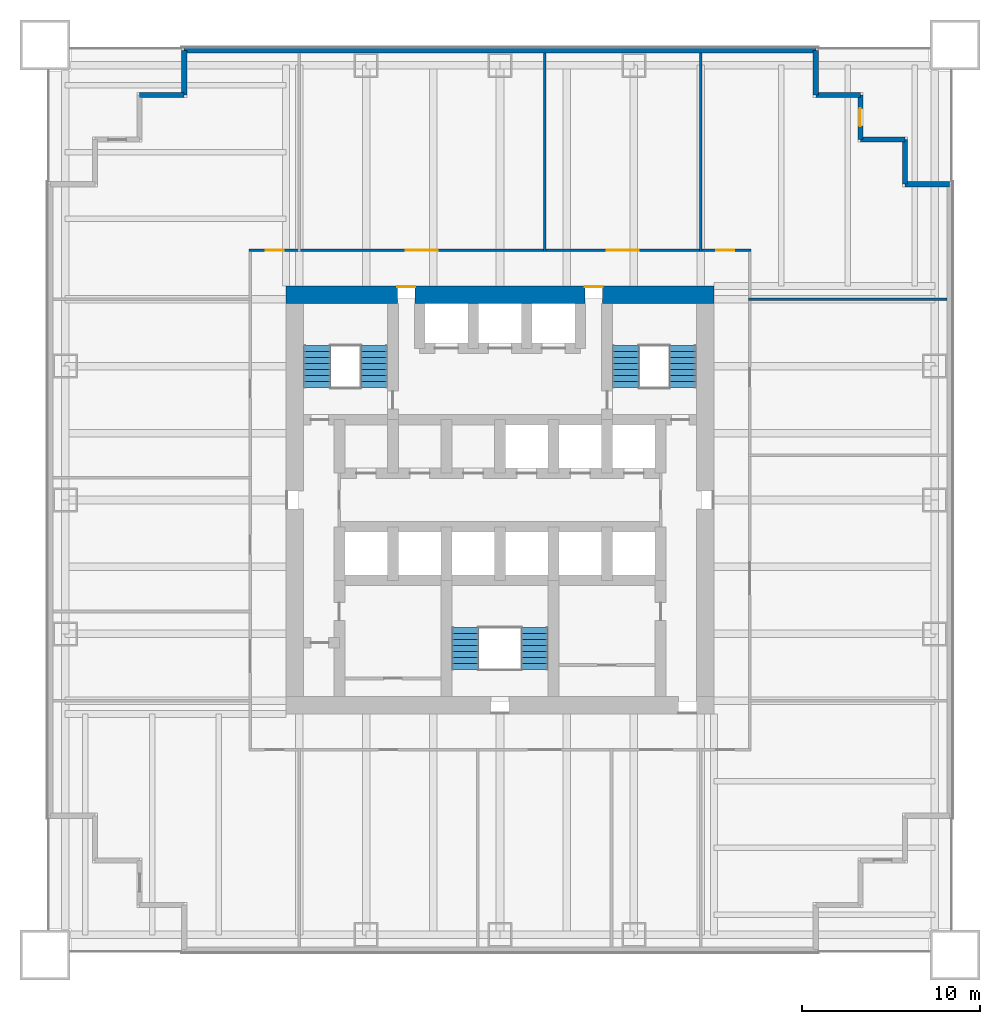
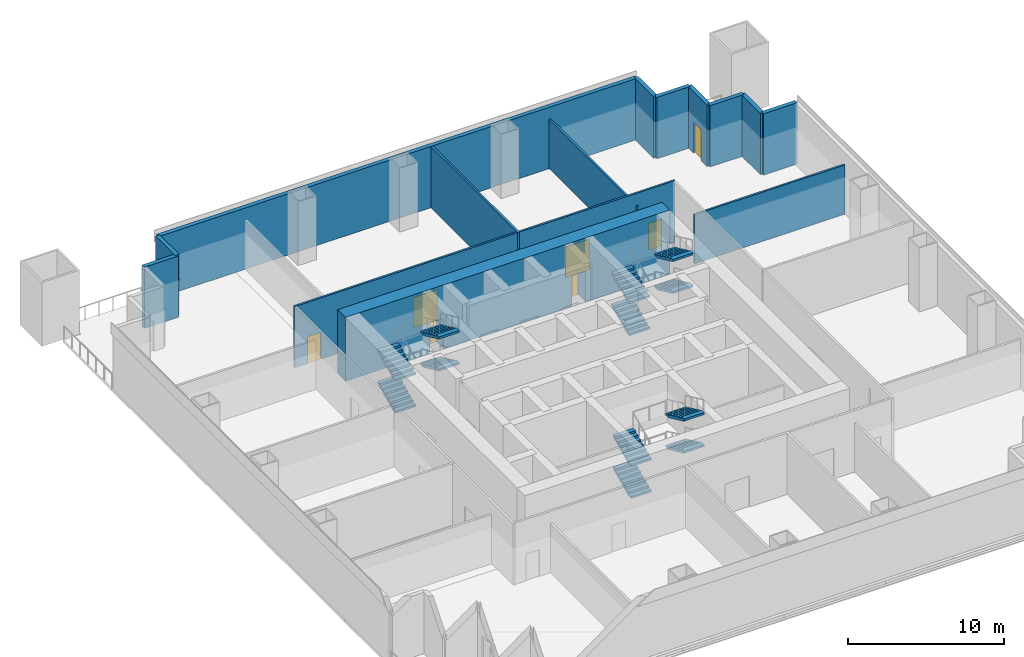
# One storey, part 4 of 6: 14 walls, 12 stair flights, 7 doors, 7 openings, 3 elements without a shape of their own.
"""IFC4 building model written with IfcOpenShell, lengths in metres."""

from ifc_helpers import new_model, si_unit, direction, frame, frame_2d, origin, place, context, subcontext, project, spatial, polyline, rectangle, outline, extrude, material, layer, layer_set, type_object, element, fill, aggregate, save


model = new_model("IFC4")

# Units and contexts
model_context = context("Model", 3, precision=1e-05, world=origin(), true_north=direction((0.0, 1.0)))
body_context = subcontext(model_context, "Body", "Model", "MODEL_VIEW")
ifc_project = project(units=[si_unit("LENGTHUNIT", "METRE"), si_unit("AREAUNIT", "SQUARE_METRE"), si_unit("VOLUMEUNIT", "CUBIC_METRE"), si_unit("PLANEANGLEUNIT", "RADIAN"), si_unit("MASSUNIT", "GRAM", prefix="KILO")], contexts=[model_context])

# Site, building, storey
site_placement = place(None, origin())
site = spatial("IfcSite", under=ifc_project, at=site_placement, CompositionType="ELEMENT")
building_placement = place(site_placement, origin())
building = spatial("IfcBuilding", under=site, at=building_placement, Name="Tarangal Relay Tower", CompositionType="ELEMENT")
storey_placement = place(building_placement, frame((0.0, 0.0, 33.39990234375)))
storey = spatial("IfcBuildingStorey", under=building, at=storey_placement, Name="L06", CompositionType="ELEMENT", Elevation=33.39990234375)

# Wall, openings, doors
ifc_material_1 = material(Name="Concrete fc' 60 MPa", Category="concrete")
ifc_layer_1 = layer(ifc_material_1, 1.0)
ifc_layer_set_1 = layer_set([ifc_layer_1], Name="Core wall 1000")
wall_type_1 = type_object("IfcWallType", Name="Core wall 1000", PredefinedType="SHEAR", material=ifc_layer_set_1)
wall_1_placement = place(storey_placement, frame((-12.0, 11.5, 0.0), z_axis=(0.0, 0.0, 1.0), x_axis=(1.0, 0.0, 0.0)))
wall_1 = element("IfcWall", 1, at=wall_1_placement, inside=storey, type_object=wall_type_1, Name="Core wall N L06", PredefinedType="SHEAR", context=body_context, shape_type="SweptSolid", body=[
    extrude(rectangle(XDim=24.0, YDim=1.0, at=frame_2d((12.0, 0.0))), origin(), (0.0, 0.0, 1.0), 5.0),
])
opening_1_placement = place(wall_1_placement, frame((6.25, 0.0, 0.0)))
opening_1 = element("IfcOpeningElement", 2, at=opening_1_placement, cuts=wall_1, Name="Opening FD3", PredefinedType="OPENING", context=body_context, shape_type="SweptSolid", body=[
    extrude(rectangle(XDim=1.0, YDim=2.39990234375, at=frame_2d((0.5, 1.199951171875))), frame((0.0, 0.510009765625, 0.0), z_axis=(0.0, -1.0, 0.0), x_axis=(1.0, 0.0, 0.0)), (0.0, 0.0, 1.0), 1.02001953125),
])
opening_2_placement = place(wall_1_placement, frame((16.75, 0.0, 0.0)))
opening_2 = element("IfcOpeningElement", 3, at=opening_2_placement, cuts=wall_1, Name="Opening FD3", PredefinedType="OPENING", context=body_context, shape_type="SweptSolid", body=[
    extrude(rectangle(XDim=1.0, YDim=2.39990234375, at=frame_2d((0.5, 1.199951171875))), frame((0.0, 0.510009765625, 0.0), z_axis=(0.0, -1.0, 0.0), x_axis=(1.0, 0.0, 0.0)), (0.0, 0.0, 1.0), 1.02001953125),
])
ifc_material_2 = material(Name="Steel door with hardwood frame", Category="steel")
door_type_1 = type_object("IfcDoorType", Name="Fire door 1000 x 2400 core entry", OperationType="SINGLE_SWING_RIGHT", PredefinedType="DOOR", material=ifc_material_2)
door_1_placement = place(opening_1_placement, origin())
door_1 = element("IfcDoor", 4, at=door_1_placement, inside=storey, type_object=door_type_1, Name="Core entry door north west L06", OperationType="SINGLE_SWING_RIGHT", OverallHeight=2.39990234375, OverallWidth=1.0, PredefinedType="DOOR", context=body_context, shape_type="SweptSolid", body=[
    extrude(rectangle(XDim=1.0, YDim=2.39990234375, at=frame_2d((0.5, 1.199951171875))), frame((0.0, 0.48486328125, 0.0), z_axis=(0.0, -1.0, 0.0), x_axis=(1.0, 0.0, 0.0)), (0.0, 0.0, 1.0), 0.050048828125),
])
fill(opening_1, door_1)
door_2_placement = place(opening_2_placement, origin())
door_2 = element("IfcDoor", 5, at=door_2_placement, inside=storey, type_object=door_type_1, Name="Core entry door north east L06", OperationType="SINGLE_SWING_RIGHT", OverallHeight=2.39990234375, OverallWidth=1.0, PredefinedType="DOOR", context=body_context, shape_type="SweptSolid", body=[
    extrude(rectangle(XDim=1.0, YDim=2.39990234375, at=frame_2d((0.5, 1.199951171875))), frame((0.0, 0.48486328125, 0.0), z_axis=(0.0, -1.0, 0.0), x_axis=(1.0, 0.0, 0.0)), (0.0, 0.0, 1.0), 0.050048828125),
])
fill(opening_2, door_2)

# Walls
ifc_material_3 = material(Name="Insulated precast concrete fc' 40 MPa", Category="concrete")
ifc_layer_2 = layer(ifc_material_3, 0.300048828125)
ifc_layer_set_2 = layer_set([ifc_layer_2], Name="Insulated precast concrete fc' 40 MPa")
wall_type_2 = type_object("IfcWallType", Name="Facade wall precast 300", PredefinedType="SOLIDWALL", material=ifc_layer_set_2)
wall_2_placement = place(storey_placement, frame((-17.699951171875, 25.199951171875, 0.0), z_axis=(0.0, 0.0, 1.0), x_axis=(1.0, 0.0, 0.0)))
element("IfcWall", 6, at=wall_2_placement, inside=storey, type_object=wall_type_2, Name="Facade wall N facade L06", PredefinedType="SOLIDWALL", context=body_context, shape_type="SweptSolid", body=[
    extrude(rectangle(XDim=35.39990234375, YDim=0.300048828125, at=frame_2d((17.699951171875, 0.0))), origin(), (0.0, 0.0, 1.0), 4.800048828125),
])
for number, where, z_axis, x_axis, name in (
    (7, (17.699951171875, 25.199951171875, 0.0), (0.0, 0.0, 1.0), (0.0, -1.0, 0.0), "Facade wall N facade L06"),
    (8, (17.699951171875, 22.699951171875, 0.0), (0.0, 0.0, 1.0), (1.0, 0.0, 0.0), "Facade wall N facade L06"),
):
    element("IfcWall", number, at=place(storey_placement, frame(where, z_axis=z_axis, x_axis=x_axis)), inside=storey, type_object=wall_type_2, Name=name, PredefinedType="SOLIDWALL", context=body_context, shape_type="SweptSolid", body=[
        extrude(rectangle(XDim=2.5, YDim=0.300048828125, at=frame_2d((1.25, 0.0))), origin(), (0.0, 0.0, 1.0), 4.800048828125),
    ])

# Wall, opening, door
wall_3_placement = place(storey_placement, frame((20.199951171875, 22.699951171875, 0.0), z_axis=(0.0, 0.0, 1.0), x_axis=(0.0, -1.0, 0.0)))
wall_3 = element("IfcWall", 9, at=wall_3_placement, inside=storey, type_object=wall_type_2, Name="Facade wall N facade L06", PredefinedType="SOLIDWALL", context=body_context, shape_type="SweptSolid", body=[
    extrude(rectangle(XDim=2.5, YDim=0.300048828125, at=frame_2d((1.25, 0.0))), origin(), (0.0, 0.0, 1.0), 4.800048828125),
])
opening_3_placement = place(wall_3_placement, frame((0.75, 0.0, 0.0)))
opening_3 = element("IfcOpeningElement", 10, at=opening_3_placement, cuts=wall_3, Name="Opening TD1", PredefinedType="OPENING", context=body_context, shape_type="SweptSolid", body=[
    extrude(rectangle(XDim=1.0, YDim=2.39990234375, at=frame_2d((0.5, 1.199951171875))), frame((0.0, 0.159912109375, 0.0), z_axis=(0.0, -1.0, 0.0), x_axis=(1.0, 0.0, 0.0)), (0.0, 0.0, 1.0), 0.320068359375),
])
ifc_material_4 = material(Name="Aluminium glazed door", Category="aluminium")
door_type_2 = type_object("IfcDoorType", Name="Terrace door 1000 x 2400", OperationType="SINGLE_SWING_RIGHT", PredefinedType="DOOR", material=ifc_material_4)
door_3_placement = place(opening_3_placement, origin())
door_3 = element("IfcDoor", 11, at=door_3_placement, inside=storey, type_object=door_type_2, Name="Terrace door TD1 NE L06", OperationType="SINGLE_SWING_RIGHT", OverallHeight=2.39990234375, OverallWidth=1.0, PredefinedType="DOOR", context=body_context, shape_type="SweptSolid", body=[
    extrude(rectangle(XDim=1.0, YDim=2.39990234375, at=frame_2d((0.5, 1.199951171875))), frame((0.0, 0.02490234375, 0.0), z_axis=(0.0, -1.0, 0.0), x_axis=(1.0, 0.0, 0.0)), (0.0, 0.0, 1.0), 0.050048828125),
])
fill(opening_3, door_3)

# Walls
for number, where, z_axis, x_axis, name in (
    (12, (20.199951171875, 20.199951171875, 0.0), (0.0, 0.0, 1.0), (1.0, 0.0, 0.0), "Facade wall N facade L06"),
    (13, (22.699951171875, 20.199951171875, 0.0), (0.0, 0.0, 1.0), (0.0, -1.0, 0.0), "Facade wall N facade L06"),
    (14, (22.699951171875, 17.699951171875, 0.0), (0.0, 0.0, 1.0), (1.0, 0.0, 0.0), "Facade wall N facade L06"),
    (15, (-20.199951171875, 22.699951171875, 0.0), (0.0, 0.0, 1.0), (1.0, 0.0, 0.0), "Facade wall W facade L06"),
    (16, (-17.699951171875, 22.699951171875, 0.0), (0.0, 0.0, 1.0), (0.0, 1.0, 0.0), "Facade wall W facade L06"),
):
    element("IfcWall", number, at=place(storey_placement, frame(where, z_axis=z_axis, x_axis=x_axis)), inside=storey, type_object=wall_type_2, Name=name, PredefinedType="SOLIDWALL", context=body_context, shape_type="SweptSolid", body=[
        extrude(rectangle(XDim=2.5, YDim=0.300048828125, at=frame_2d((1.25, 0.0))), origin(), (0.0, 0.0, 1.0), 4.800048828125),
    ])
ifc_material_5 = material(Name="Gypsum board on steel studs", Category="steel")
ifc_layer_3 = layer(ifc_material_5, 0.14990234375)
ifc_layer_set_3 = layer_set([ifc_layer_3], Name="Partition 150")
wall_type_3 = type_object("IfcWallType", Name="Partition 150", PredefinedType="PARTITIONING", material=ifc_layer_set_3)
wall_4_placement = place(storey_placement, frame((13.925048828125, 11.25, 0.0), z_axis=(0.0, 0.0, 1.0), x_axis=(1.0, 0.0, 0.0)))
element("IfcWall", 17, at=wall_4_placement, inside=storey, type_object=wall_type_3, Name="Partition PT1 L06", PredefinedType="PARTITIONING", context=body_context, shape_type="SweptSolid", body=[
    extrude(rectangle(XDim=11.125, YDim=0.14990234375, at=frame_2d((5.5625, 0.0))), origin(), (0.0, 0.0, 1.0), 3.852783203125),
])

# Wall, openings, doors
wall_5_placement = place(storey_placement, frame((-14.074951171875, 14.0, 0.0), z_axis=(0.0, 0.0, 1.0), x_axis=(1.0, 0.0, 0.0)))
wall_5 = element("IfcWall", 18, at=wall_5_placement, inside=storey, type_object=wall_type_3, Name="Partition PT1 L06", PredefinedType="PARTITIONING", context=body_context, shape_type="SweptSolid", body=[
    extrude(rectangle(XDim=28.14990234375, YDim=0.14990234375, at=frame_2d((14.074951171875, 0.0))), origin(), (0.0, 0.0, 1.0), 4.800048828125),
])
opening_4_placement = place(wall_5_placement, frame((8.800048828125, 0.0, 0.0)))
opening_4 = element("IfcOpeningElement", 19, at=opening_4_placement, cuts=wall_5, Name="Opening DD1", PredefinedType="OPENING", context=body_context, shape_type="SweptSolid", body=[
    extrude(rectangle(XDim=1.800048828125, YDim=2.39990234375, at=frame_2d((0.89990234375, 1.199951171875))), frame((0.0, 0.0849609375, 0.0), z_axis=(0.0, -1.0, 0.0), x_axis=(1.0, 0.0, 0.0)), (0.0, 0.0, 1.0), 0.169921875),
])
opening_5_placement = place(wall_5_placement, frame((20.050048828125, 0.0, 0.0)))
opening_5 = element("IfcOpeningElement", 20, at=opening_5_placement, cuts=wall_5, Name="Opening DD1", PredefinedType="OPENING", context=body_context, shape_type="SweptSolid", body=[
    extrude(rectangle(XDim=1.800048828125, YDim=2.39990234375, at=frame_2d((0.89990234375, 1.199951171875))), frame((0.0, 0.0849609375, 0.0), z_axis=(0.0, -1.0, 0.0), x_axis=(1.0, 0.0, 0.0)), (0.0, 0.0, 1.0), 0.169921875),
])
opening_6_placement = place(wall_5_placement, frame((26.199951171875, 0.0, 0.0)))
opening_6 = element("IfcOpeningElement", 21, at=opening_6_placement, cuts=wall_5, Name="Opening D2", PredefinedType="OPENING", context=body_context, shape_type="SweptSolid", body=[
    extrude(rectangle(XDim=1.0, YDim=2.10009765625, at=frame_2d((0.5, 1.050048828125))), frame((0.0, 0.0849609375, 0.0), z_axis=(0.0, -1.0, 0.0), x_axis=(1.0, 0.0, 0.0)), (0.0, 0.0, 1.0), 0.169921875),
])
opening_7_placement = place(wall_5_placement, frame((0.949951171875, 0.0, 0.0)))
opening_7 = element("IfcOpeningElement", 22, at=opening_7_placement, cuts=wall_5, Name="Opening D2", PredefinedType="OPENING", context=body_context, shape_type="SweptSolid", body=[
    extrude(rectangle(XDim=1.0, YDim=2.10009765625, at=frame_2d((0.5, 1.050048828125))), frame((0.0, 0.0849609375, 0.0), z_axis=(0.0, -1.0, 0.0), x_axis=(1.0, 0.0, 0.0)), (0.0, 0.0, 1.0), 0.169921875),
])
ifc_material_6 = material(Name="Hardwood door", Category="wood")
door_type_3 = type_object("IfcDoorType", Name="Door 1000 x 2100", OperationType="SINGLE_SWING_LEFT", PredefinedType="DOOR", material=ifc_material_6)
door_4_placement = place(opening_6_placement, origin())
door_4 = element("IfcDoor", 23, at=door_4_placement, inside=storey, type_object=door_type_3, Name="Door D2 to engineering office L06-12", OperationType="SINGLE_SWING_LEFT", OverallHeight=2.10009765625, OverallWidth=1.0, PredefinedType="DOOR", context=body_context, shape_type="SweptSolid", body=[
    extrude(rectangle(XDim=1.0, YDim=2.10009765625, at=frame_2d((0.5, 1.050048828125))), frame((0.0, 0.02490234375, 0.0), z_axis=(0.0, -1.0, 0.0), x_axis=(1.0, 0.0, 0.0)), (0.0, 0.0, 1.0), 0.050048828125),
])
fill(opening_6, door_4)
door_5_placement = place(opening_7_placement, origin())
door_5 = element("IfcDoor", 24, at=door_5_placement, inside=storey, type_object=door_type_3, Name="Door D2 to network operations room L06-15", OperationType="SINGLE_SWING_LEFT", OverallHeight=2.10009765625, OverallWidth=1.0, PredefinedType="DOOR", context=body_context, shape_type="SweptSolid", body=[
    extrude(rectangle(XDim=1.0, YDim=2.10009765625, at=frame_2d((0.5, 1.050048828125))), frame((0.0, 0.02490234375, 0.0), z_axis=(0.0, -1.0, 0.0), x_axis=(1.0, 0.0, 0.0)), (0.0, 0.0, 1.0), 0.050048828125),
])
fill(opening_7, door_5)
door_type_4 = type_object("IfcDoorType", Name="Equipment double door 1800 x 2400", OperationType="DOUBLE_DOOR_SINGLE_SWING", PredefinedType="DOOR", material=ifc_material_2)
door_6_placement = place(opening_4_placement, origin())
door_6 = element("IfcDoor", 25, at=door_6_placement, inside=storey, type_object=door_type_4, Name="Door DD1 to data hall L06-02", OperationType="DOUBLE_DOOR_SINGLE_SWING", OverallHeight=2.39990234375, OverallWidth=1.800048828125, PredefinedType="DOOR", context=body_context, shape_type="SweptSolid", body=[
    extrude(rectangle(XDim=1.800048828125, YDim=2.39990234375, at=frame_2d((0.89990234375, 1.199951171875))), frame((0.0, 0.02490234375, 0.0), z_axis=(0.0, -1.0, 0.0), x_axis=(1.0, 0.0, 0.0)), (0.0, 0.0, 1.0), 0.050048828125),
])
fill(opening_4, door_6)
door_7_placement = place(opening_5_placement, origin())
door_7 = element("IfcDoor", 26, at=door_7_placement, inside=storey, type_object=door_type_4, Name="Door DD1 to meet-me room L06-03", OperationType="DOUBLE_DOOR_SINGLE_SWING", OverallHeight=2.39990234375, OverallWidth=1.800048828125, PredefinedType="DOOR", context=body_context, shape_type="SweptSolid", body=[
    extrude(rectangle(XDim=1.800048828125, YDim=2.39990234375, at=frame_2d((0.89990234375, 1.199951171875))), frame((0.0, 0.02490234375, 0.0), z_axis=(0.0, -1.0, 0.0), x_axis=(1.0, 0.0, 0.0)), (0.0, 0.0, 1.0), 0.050048828125),
])
fill(opening_5, door_7)

# Walls
wall_6_placement = place(storey_placement, frame((2.5, 13.925048828125, 0.0), z_axis=(0.0, 0.0, 1.0), x_axis=(0.0, 1.0, 0.0)))
element("IfcWall", 27, at=wall_6_placement, inside=storey, type_object=wall_type_3, Name="Partition PT1 L06", PredefinedType="PARTITIONING", context=body_context, shape_type="SweptSolid", body=[
    extrude(rectangle(XDim=11.125, YDim=0.14990234375, at=frame_2d((5.5625, 0.0))), origin(), (0.0, 0.0, 1.0), 4.800048828125),
])
wall_7_placement = place(storey_placement, frame((11.25, 13.925048828125, 0.0), z_axis=(0.0, 0.0, 1.0), x_axis=(0.0, 1.0, 0.0)))
element("IfcWall", 28, at=wall_7_placement, inside=storey, type_object=wall_type_3, Name="Partition PT1 L06", PredefinedType="PARTITIONING", context=body_context, shape_type="SweptSolid", body=[
    extrude(rectangle(XDim=11.125, YDim=0.14990234375, at=frame_2d((5.5625, 0.0))), origin(), (0.0, 0.0, 1.0), 3.852783203125),
])

# Stair, stair flights
ifc_material_7 = material(Name="Steel ASTM A992 stair flight", Category="steel")
stair_type = type_object("IfcStairType", Name="Core stair 1500", PredefinedType="HALF_TURN_STAIR", material=ifc_material_7)
stair_1_placement = place(storey_placement, origin())
stair_1 = element("IfcStair", 29, at=stair_1_placement, inside=storey, type_object=stair_type, Name="Stair ST-A L06", PredefinedType="HALF_TURN_STAIR")
stair_flight_type = type_object("IfcStairFlightType", Name="Steel stair flight 1500, 8 risers 156 x 335", PredefinedType="STRAIGHT", material=ifc_material_7)
stair_flight_1_placement = place(storey_placement, frame((-10.25, 6.300048828125, 0.0), z_axis=(0.0, 0.0, 1.0), x_axis=(0.0, 1.0, 0.0)))
stair_flight_1 = element("IfcStairFlight", 30, at=stair_flight_1_placement, type_object=stair_flight_type, Name="ST-A flight 1", NumberOfRisers=8, NumberOfTreads=7, PredefinedType="STRAIGHT", RiserHeight=0.15625, TreadLength=0.335, context=body_context, shape_type="SweptSolid", body=[
    extrude(outline(polyline([(0.0, 0.0), (0.0, 0.15625), (0.3349609375, 0.15625), (0.3349609375, 0.3125), (0.669921875, 0.3125), (0.669921875, 0.46875), (1.0048828125, 0.46875), (1.0048828125, 0.625), (1.340087890625, 0.625), (1.340087890625, 0.78125), (1.675048828125, 0.78125), (1.675048828125, 0.9375), (2.010009765625, 0.9375), (2.010009765625, 1.09375), (2.344970703125, 1.09375), (2.344970703125, 1.25), (2.344970703125, 0.92822265625), (0.354736328125, 0.0), (0.0, 0.0)])), frame((0.0, 0.75, 0.0), z_axis=(0.0, -1.0, 0.0), x_axis=(1.0, 0.0, 0.0)), (0.0, 0.0, 1.0), 1.5),
])
stair_flight_2_placement = place(storey_placement, frame((-7.050048828125, 8.64501953125, 1.25), z_axis=(0.0, 0.0, 1.0), x_axis=(0.0, -1.0, 0.0)))
stair_flight_2 = element("IfcStairFlight", 31, at=stair_flight_2_placement, type_object=stair_flight_type, Name="ST-A flight 2", NumberOfRisers=8, NumberOfTreads=7, PredefinedType="STRAIGHT", RiserHeight=0.15625, TreadLength=0.335, context=body_context, shape_type="SweptSolid", body=[
    extrude(outline(polyline([(0.0, 0.0), (0.0, 0.15625), (0.3349609375, 0.15625), (0.3349609375, 0.3125), (0.669921875, 0.3125), (0.669921875, 0.46875), (1.0048828125, 0.46875), (1.0048828125, 0.625), (1.340087890625, 0.625), (1.340087890625, 0.78125), (1.675048828125, 0.78125), (1.675048828125, 0.9375), (2.010009765625, 0.9375), (2.010009765625, 1.09375), (2.344970703125, 1.09375), (2.344970703125, 1.25), (2.344970703125, 0.92822265625), (0.354736328125, 0.0), (0.0, 0.0)])), frame((0.0, 0.75, 0.0), z_axis=(0.0, -1.0, 0.0), x_axis=(1.0, 0.0, 0.0)), (0.0, 0.0, 1.0), 1.5),
])
stair_flight_3_placement = place(storey_placement, frame((-10.25, 6.300048828125, 2.5), z_axis=(0.0, 0.0, 1.0), x_axis=(0.0, 1.0, 0.0)))
stair_flight_3 = element("IfcStairFlight", 32, at=stair_flight_3_placement, type_object=stair_flight_type, Name="ST-A flight 3", NumberOfRisers=8, NumberOfTreads=7, PredefinedType="STRAIGHT", RiserHeight=0.15625, TreadLength=0.335, context=body_context, shape_type="SweptSolid", body=[
    extrude(outline(polyline([(0.0, 0.0), (0.0, 0.15625), (0.3349609375, 0.15625), (0.3349609375, 0.3125), (0.669921875, 0.3125), (0.669921875, 0.46875), (1.0048828125, 0.46875), (1.0048828125, 0.625), (1.340087890625, 0.625), (1.340087890625, 0.78125), (1.675048828125, 0.78125), (1.675048828125, 0.9375), (2.010009765625, 0.9375), (2.010009765625, 1.09375), (2.344970703125, 1.09375), (2.344970703125, 1.25), (2.344970703125, 0.92822265625), (0.354736328125, 0.0), (0.0, 0.0)])), frame((0.0, 0.75, 0.0), z_axis=(0.0, -1.0, 0.0), x_axis=(1.0, 0.0, 0.0)), (0.0, 0.0, 1.0), 1.5),
])
stair_flight_4_placement = place(storey_placement, frame((-7.050048828125, 8.64501953125, 3.75), z_axis=(0.0, 0.0, 1.0), x_axis=(0.0, -1.0, 0.0)))
stair_flight_4 = element("IfcStairFlight", 33, at=stair_flight_4_placement, type_object=stair_flight_type, Name="ST-A flight 4", NumberOfRisers=8, NumberOfTreads=7, PredefinedType="STRAIGHT", RiserHeight=0.15625, TreadLength=0.335, context=body_context, shape_type="SweptSolid", body=[
    extrude(outline(polyline([(0.0, 0.0), (0.0, 0.15625), (0.3349609375, 0.15625), (0.3349609375, 0.3125), (0.669921875, 0.3125), (0.669921875, 0.46875), (1.0048828125, 0.46875), (1.0048828125, 0.625), (1.340087890625, 0.625), (1.340087890625, 0.78125), (1.675048828125, 0.78125), (1.675048828125, 0.9375), (2.010009765625, 0.9375), (2.010009765625, 1.09375), (2.344970703125, 1.09375), (2.344970703125, 1.25), (2.344970703125, 0.92822265625), (0.354736328125, 0.0), (0.0, 0.0)])), frame((0.0, 0.75, 0.0), z_axis=(0.0, -1.0, 0.0), x_axis=(1.0, 0.0, 0.0)), (0.0, 0.0, 1.0), 1.5),
])
aggregate(stair_1, [stair_flight_1, stair_flight_2, stair_flight_3, stair_flight_4])

stair_2_placement = place(storey_placement, origin())
stair_2 = element("IfcStair", 34, at=stair_2_placement, inside=storey, type_object=stair_type, Name="Stair ST-B L06", PredefinedType="HALF_TURN_STAIR")
stair_flight_5_placement = place(storey_placement, frame((7.050048828125, 6.300048828125, 0.0), z_axis=(0.0, 0.0, 1.0), x_axis=(0.0, 1.0, 0.0)))
stair_flight_5 = element("IfcStairFlight", 35, at=stair_flight_5_placement, type_object=stair_flight_type, Name="ST-B flight 1", NumberOfRisers=8, NumberOfTreads=7, PredefinedType="STRAIGHT", RiserHeight=0.15625, TreadLength=0.335, context=body_context, shape_type="SweptSolid", body=[
    extrude(outline(polyline([(0.0, 0.0), (0.0, 0.15625), (0.3349609375, 0.15625), (0.3349609375, 0.3125), (0.669921875, 0.3125), (0.669921875, 0.46875), (1.0048828125, 0.46875), (1.0048828125, 0.625), (1.340087890625, 0.625), (1.340087890625, 0.78125), (1.675048828125, 0.78125), (1.675048828125, 0.9375), (2.010009765625, 0.9375), (2.010009765625, 1.09375), (2.344970703125, 1.09375), (2.344970703125, 1.25), (2.344970703125, 0.92822265625), (0.354736328125, 0.0), (0.0, 0.0)])), frame((0.0, 0.75, 0.0), z_axis=(0.0, -1.0, 0.0), x_axis=(1.0, 0.0, 0.0)), (0.0, 0.0, 1.0), 1.5),
])
stair_flight_6_placement = place(storey_placement, frame((10.25, 8.64501953125, 1.25), z_axis=(0.0, 0.0, 1.0), x_axis=(0.0, -1.0, 0.0)))
stair_flight_6 = element("IfcStairFlight", 36, at=stair_flight_6_placement, type_object=stair_flight_type, Name="ST-B flight 2", NumberOfRisers=8, NumberOfTreads=7, PredefinedType="STRAIGHT", RiserHeight=0.15625, TreadLength=0.335, context=body_context, shape_type="SweptSolid", body=[
    extrude(outline(polyline([(0.0, 0.0), (0.0, 0.15625), (0.3349609375, 0.15625), (0.3349609375, 0.3125), (0.669921875, 0.3125), (0.669921875, 0.46875), (1.0048828125, 0.46875), (1.0048828125, 0.625), (1.340087890625, 0.625), (1.340087890625, 0.78125), (1.675048828125, 0.78125), (1.675048828125, 0.9375), (2.010009765625, 0.9375), (2.010009765625, 1.09375), (2.344970703125, 1.09375), (2.344970703125, 1.25), (2.344970703125, 0.92822265625), (0.354736328125, 0.0), (0.0, 0.0)])), frame((0.0, 0.75, 0.0), z_axis=(0.0, -1.0, 0.0), x_axis=(1.0, 0.0, 0.0)), (0.0, 0.0, 1.0), 1.5),
])
stair_flight_7_placement = place(storey_placement, frame((7.050048828125, 6.300048828125, 2.5), z_axis=(0.0, 0.0, 1.0), x_axis=(0.0, 1.0, 0.0)))
stair_flight_7 = element("IfcStairFlight", 37, at=stair_flight_7_placement, type_object=stair_flight_type, Name="ST-B flight 3", NumberOfRisers=8, NumberOfTreads=7, PredefinedType="STRAIGHT", RiserHeight=0.15625, TreadLength=0.335, context=body_context, shape_type="SweptSolid", body=[
    extrude(outline(polyline([(0.0, 0.0), (0.0, 0.15625), (0.3349609375, 0.15625), (0.3349609375, 0.3125), (0.669921875, 0.3125), (0.669921875, 0.46875), (1.0048828125, 0.46875), (1.0048828125, 0.625), (1.340087890625, 0.625), (1.340087890625, 0.78125), (1.675048828125, 0.78125), (1.675048828125, 0.9375), (2.010009765625, 0.9375), (2.010009765625, 1.09375), (2.344970703125, 1.09375), (2.344970703125, 1.25), (2.344970703125, 0.92822265625), (0.354736328125, 0.0), (0.0, 0.0)])), frame((0.0, 0.75, 0.0), z_axis=(0.0, -1.0, 0.0), x_axis=(1.0, 0.0, 0.0)), (0.0, 0.0, 1.0), 1.5),
])
stair_flight_8_placement = place(storey_placement, frame((10.25, 8.64501953125, 3.75), z_axis=(0.0, 0.0, 1.0), x_axis=(0.0, -1.0, 0.0)))
stair_flight_8 = element("IfcStairFlight", 38, at=stair_flight_8_placement, type_object=stair_flight_type, Name="ST-B flight 4", NumberOfRisers=8, NumberOfTreads=7, PredefinedType="STRAIGHT", RiserHeight=0.15625, TreadLength=0.335, context=body_context, shape_type="SweptSolid", body=[
    extrude(outline(polyline([(0.0, 0.0), (0.0, 0.15625), (0.3349609375, 0.15625), (0.3349609375, 0.3125), (0.669921875, 0.3125), (0.669921875, 0.46875), (1.0048828125, 0.46875), (1.0048828125, 0.625), (1.340087890625, 0.625), (1.340087890625, 0.78125), (1.675048828125, 0.78125), (1.675048828125, 0.9375), (2.010009765625, 0.9375), (2.010009765625, 1.09375), (2.344970703125, 1.09375), (2.344970703125, 1.25), (2.344970703125, 0.92822265625), (0.354736328125, 0.0), (0.0, 0.0)])), frame((0.0, 0.75, 0.0), z_axis=(0.0, -1.0, 0.0), x_axis=(1.0, 0.0, 0.0)), (0.0, 0.0, 1.0), 1.5),
])
aggregate(stair_2, [stair_flight_5, stair_flight_6, stair_flight_7, stair_flight_8])

stair_3_placement = place(storey_placement, origin())
stair_3 = element("IfcStair", 39, at=stair_3_placement, inside=storey, type_object=stair_type, Name="Stair ST-C L06", PredefinedType="HALF_TURN_STAIR")
stair_flight_9_placement = place(storey_placement, frame((-1.949951171875, -9.5, 0.0), z_axis=(0.0, 0.0, 1.0), x_axis=(0.0, 1.0, 0.0)))
stair_flight_9 = element("IfcStairFlight", 40, at=stair_flight_9_placement, type_object=stair_flight_type, Name="ST-C flight 1", NumberOfRisers=8, NumberOfTreads=7, PredefinedType="STRAIGHT", RiserHeight=0.15625, TreadLength=0.335, context=body_context, shape_type="SweptSolid", body=[
    extrude(outline(polyline([(0.0, 0.0), (0.0, 0.15625), (0.3349609375, 0.15625), (0.3349609375, 0.3125), (0.669921875, 0.3125), (0.669921875, 0.46875), (1.0048828125, 0.46875), (1.0048828125, 0.625), (1.340087890625, 0.625), (1.340087890625, 0.78125), (1.675048828125, 0.78125), (1.675048828125, 0.9375), (2.010009765625, 0.9375), (2.010009765625, 1.09375), (2.344970703125, 1.09375), (2.344970703125, 1.25), (2.344970703125, 0.92822265625), (0.354736328125, 0.0), (0.0, 0.0)])), frame((0.0, 0.75, 0.0), z_axis=(0.0, -1.0, 0.0), x_axis=(1.0, 0.0, 0.0)), (0.0, 0.0, 1.0), 1.5),
])
stair_flight_10_placement = place(storey_placement, frame((1.949951171875, -7.155029296875, 1.25), z_axis=(0.0, 0.0, 1.0), x_axis=(0.0, -1.0, 0.0)))
stair_flight_10 = element("IfcStairFlight", 41, at=stair_flight_10_placement, type_object=stair_flight_type, Name="ST-C flight 2", NumberOfRisers=8, NumberOfTreads=7, PredefinedType="STRAIGHT", RiserHeight=0.15625, TreadLength=0.335, context=body_context, shape_type="SweptSolid", body=[
    extrude(outline(polyline([(0.0, 0.0), (0.0, 0.15625), (0.3349609375, 0.15625), (0.3349609375, 0.3125), (0.669921875, 0.3125), (0.669921875, 0.46875), (1.0048828125, 0.46875), (1.0048828125, 0.625), (1.340087890625, 0.625), (1.340087890625, 0.78125), (1.675048828125, 0.78125), (1.675048828125, 0.9375), (2.010009765625, 0.9375), (2.010009765625, 1.09375), (2.344970703125, 1.09375), (2.344970703125, 1.25), (2.344970703125, 0.92822265625), (0.354736328125, 0.0), (0.0, 0.0)])), frame((0.0, 0.75, 0.0), z_axis=(0.0, -1.0, 0.0), x_axis=(1.0, 0.0, 0.0)), (0.0, 0.0, 1.0), 1.5),
])
stair_flight_11_placement = place(storey_placement, frame((-1.949951171875, -9.5, 2.5), z_axis=(0.0, 0.0, 1.0), x_axis=(0.0, 1.0, 0.0)))
stair_flight_11 = element("IfcStairFlight", 42, at=stair_flight_11_placement, type_object=stair_flight_type, Name="ST-C flight 3", NumberOfRisers=8, NumberOfTreads=7, PredefinedType="STRAIGHT", RiserHeight=0.15625, TreadLength=0.335, context=body_context, shape_type="SweptSolid", body=[
    extrude(outline(polyline([(0.0, 0.0), (0.0, 0.15625), (0.3349609375, 0.15625), (0.3349609375, 0.3125), (0.669921875, 0.3125), (0.669921875, 0.46875), (1.0048828125, 0.46875), (1.0048828125, 0.625), (1.340087890625, 0.625), (1.340087890625, 0.78125), (1.675048828125, 0.78125), (1.675048828125, 0.9375), (2.010009765625, 0.9375), (2.010009765625, 1.09375), (2.344970703125, 1.09375), (2.344970703125, 1.25), (2.344970703125, 0.92822265625), (0.354736328125, 0.0), (0.0, 0.0)])), frame((0.0, 0.75, 0.0), z_axis=(0.0, -1.0, 0.0), x_axis=(1.0, 0.0, 0.0)), (0.0, 0.0, 1.0), 1.5),
])
stair_flight_12_placement = place(storey_placement, frame((1.949951171875, -7.155029296875, 3.75), z_axis=(0.0, 0.0, 1.0), x_axis=(0.0, -1.0, 0.0)))
stair_flight_12 = element("IfcStairFlight", 43, at=stair_flight_12_placement, type_object=stair_flight_type, Name="ST-C flight 4", NumberOfRisers=8, NumberOfTreads=7, PredefinedType="STRAIGHT", RiserHeight=0.15625, TreadLength=0.335, context=body_context, shape_type="SweptSolid", body=[
    extrude(outline(polyline([(0.0, 0.0), (0.0, 0.15625), (0.3349609375, 0.15625), (0.3349609375, 0.3125), (0.669921875, 0.3125), (0.669921875, 0.46875), (1.0048828125, 0.46875), (1.0048828125, 0.625), (1.340087890625, 0.625), (1.340087890625, 0.78125), (1.675048828125, 0.78125), (1.675048828125, 0.9375), (2.010009765625, 0.9375), (2.010009765625, 1.09375), (2.344970703125, 1.09375), (2.344970703125, 1.25), (2.344970703125, 0.92822265625), (0.354736328125, 0.0), (0.0, 0.0)])), frame((0.0, 0.75, 0.0), z_axis=(0.0, -1.0, 0.0), x_axis=(1.0, 0.0, 0.0)), (0.0, 0.0, 1.0), 1.5),
])
aggregate(stair_3, [stair_flight_9, stair_flight_10, stair_flight_11, stair_flight_12])

save(model, "model.ifc")
